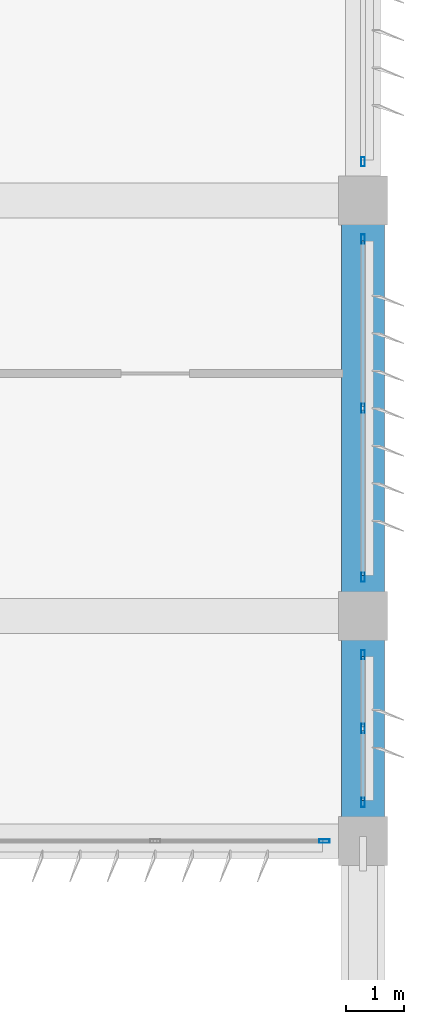
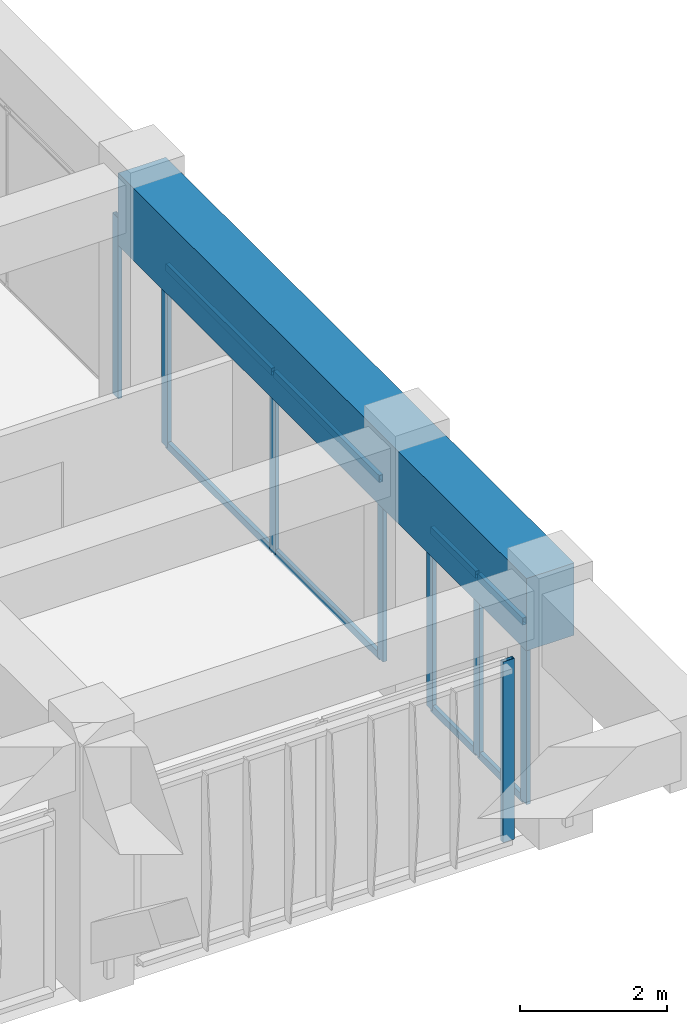
# One storey, part 28 of 56: 16 members, 1 beam, 4 elements without a shape of their own.
"""IFC4 building model written with IfcOpenShell, lengths in metres."""

from ifc_helpers import new_model, si_unit, direction, frame, origin, origin_2d, place, context, subcontext, project, spatial, rectangle, hollow_rectangle, extrude, material, material_profile, profile_set, type_object, element, aggregate, save


model = new_model("IFC4")

# Units and contexts
model_context = context("Model", 3, precision=1e-05, world=origin(), true_north=direction((0.0, 1.0)))
body_context = subcontext(model_context, "Body", "Model", "MODEL_VIEW")
ifc_project = project(units=[si_unit("LENGTHUNIT", "METRE"), si_unit("AREAUNIT", "SQUARE_METRE"), si_unit("VOLUMEUNIT", "CUBIC_METRE"), si_unit("PLANEANGLEUNIT", "RADIAN"), si_unit("MASSUNIT", "GRAM", prefix="KILO")], contexts=[model_context])

# Site, building, storey
site_placement = place(None, origin())
site = spatial("IfcSite", under=ifc_project, at=site_placement, CompositionType="ELEMENT")
building_placement = place(site_placement, origin())
building = spatial("IfcBuilding", under=site, at=building_placement, Name="Kazehaya Institute of Natural Sciences", CompositionType="ELEMENT")
storey_placement = place(building_placement, frame((0.0, 0.0, 24.300048828125)))
storey = spatial("IfcBuildingStorey", under=building, at=storey_placement, Name="L05", CompositionType="ELEMENT", Elevation=24.300048828125)

# Beam
ifc_material_1 = material(Name="Concrete Fc42", Category="concrete")
ifc_material_profile_1 = material_profile(ifc_material_1, rectangle(XDim=0.75, YDim=1.199951171875, at=origin_2d()), Name="RC-750x1200")
ifc_profile_set_1 = profile_set([ifc_material_profile_1], Name="Concrete Fc42")
beam_type = type_object("IfcBeamType", Name="BM-TG-750x1200", PredefinedType="BEAM", material=ifc_profile_set_1)
beam_placement = place(storey_placement, frame((119.39990234375, 10.10009765625, 3.6298828125), z_axis=(0.0, 1.0, 0.0), x_axis=(-1.0, 0.0, 0.0)))
element("IfcBeam", 1, at=beam_placement, inside=storey, type_object=beam_type, Name="L05 transfer girder back-span 1770", PredefinedType="BEAM", context=body_context, shape_type="SweptSolid", body=[
    extrude(rectangle(XDim=0.75, YDim=1.199951171875, at=origin_2d()), origin(), (0.0, 0.0, 1.0), 11.099853515625),
])

# Curtain wall, members
ifc_material_2 = material(Name="Aluminium alloy A6063S-T5", Category="aluminium")
curtain_wall_type_1 = type_object("IfcCurtainWallType", Name="CW-SYS-08", PredefinedType="NOTDEFINED", material=ifc_material_2)
curtain_wall_1_placement = place(storey_placement, origin())
curtain_wall_1 = element("IfcCurtainWall", 2, at=curtain_wall_1_placement, inside=storey, type_object=curtain_wall_type_1, Name="L05 unitised curtain wall CW-L05-113", PredefinedType="NOTDEFINED")
ifc_material_profile_2 = material_profile(ifc_material_2, hollow_rectangle(XDim=0.06005859375, YDim=0.159912109375, WallThickness=0.00390625, at=origin_2d()), Name="ALU-60x160x4")
ifc_profile_set_2 = profile_set([ifc_material_profile_2], Name="Aluminium alloy A6063S-T5")
member_type_1 = type_object("IfcMemberType", Name="CWM-160", PredefinedType="MULLION", material=ifc_profile_set_2)
member_1_placement = place(storey_placement, frame((119.39990234375, 13.330078125, 0.0), z_axis=(0.0, 0.0, 1.0), x_axis=(1.0, 0.0, 0.0)))
member_1 = element("IfcMember", 3, at=member_1_placement, type_object=member_type_1, Name="CW08 mullion 1", PredefinedType="MULLION", context=body_context, shape_type="SweptSolid", body=[
    extrude(hollow_rectangle(XDim=0.06005859375, YDim=0.159912109375, WallThickness=0.00390625, at=origin_2d()), origin(), (0.0, 0.0, 1.0), 3.0),
])
member_2_placement = place(storey_placement, frame((119.39990234375, 12.050048828125, 0.0), z_axis=(0.0, 0.0, 1.0), x_axis=(1.0, 0.0, 0.0)))
member_2 = element("IfcMember", 4, at=member_2_placement, type_object=member_type_1, Name="CW08 mullion 2", PredefinedType="MULLION", context=body_context, shape_type="SweptSolid", body=[
    extrude(hollow_rectangle(XDim=0.06005859375, YDim=0.159912109375, WallThickness=0.00390625, at=origin_2d()), origin(), (0.0, 0.0, 1.0), 3.0),
])
member_3_placement = place(storey_placement, frame((119.39990234375, 10.77001953125, 0.0), z_axis=(0.0, 0.0, 1.0), x_axis=(1.0, 0.0, 0.0)))
member_3 = element("IfcMember", 5, at=member_3_placement, type_object=member_type_1, Name="CW08 mullion 3", PredefinedType="MULLION", context=body_context, shape_type="SweptSolid", body=[
    extrude(hollow_rectangle(XDim=0.06005859375, YDim=0.159912109375, WallThickness=0.00390625, at=origin_2d()), origin(), (0.0, 0.0, 1.0), 3.0),
])

curtain_wall_type_2 = type_object("IfcCurtainWallType", Name="CW-SYS-10", PredefinedType="NOTDEFINED", material=ifc_material_2)
curtain_wall_2_placement = place(storey_placement, origin())
curtain_wall_2 = element("IfcCurtainWall", 6, at=curtain_wall_2_placement, inside=storey, type_object=curtain_wall_type_2, Name="L05 unitised curtain wall CW-L05-115", PredefinedType="NOTDEFINED")
member_4_placement = place(storey_placement, frame((119.39990234375, 20.530029296875, 0.0), z_axis=(0.0, 0.0, 1.0), x_axis=(1.0, 0.0, 0.0)))
member_4 = element("IfcMember", 7, at=member_4_placement, type_object=member_type_1, Name="CW10 mullion 1", PredefinedType="MULLION", context=body_context, shape_type="SweptSolid", body=[
    extrude(hollow_rectangle(XDim=0.06005859375, YDim=0.159912109375, WallThickness=0.00390625, at=origin_2d()), origin(), (0.0, 0.0, 1.0), 3.0),
])
member_5_placement = place(storey_placement, frame((119.39990234375, 17.60009765625, 0.0), z_axis=(0.0, 0.0, 1.0), x_axis=(1.0, 0.0, 0.0)))
member_5 = element("IfcMember", 8, at=member_5_placement, type_object=member_type_1, Name="CW10 mullion 2", PredefinedType="MULLION", context=body_context, shape_type="SweptSolid", body=[
    extrude(hollow_rectangle(XDim=0.06005859375, YDim=0.159912109375, WallThickness=0.00390625, at=origin_2d()), origin(), (0.0, 0.0, 1.0), 3.0),
])
member_6_placement = place(storey_placement, frame((119.39990234375, 14.669921875, 0.0), z_axis=(0.0, 0.0, 1.0), x_axis=(1.0, 0.0, 0.0)))
member_6 = element("IfcMember", 9, at=member_6_placement, type_object=member_type_1, Name="CW10 mullion 3", PredefinedType="MULLION", context=body_context, shape_type="SweptSolid", body=[
    extrude(hollow_rectangle(XDim=0.06005859375, YDim=0.159912109375, WallThickness=0.00390625, at=origin_2d()), origin(), (0.0, 0.0, 1.0), 3.0),
])

# Curtain wall, member
curtain_wall_3_placement = place(storey_placement, origin())
curtain_wall_3 = element("IfcCurtainWall", 10, at=curtain_wall_3_placement, inside=storey, type_object=curtain_wall_type_2, Name="L05 unitised curtain wall CW-L05-117", PredefinedType="NOTDEFINED")
member_7_placement = place(storey_placement, frame((119.39990234375, 21.8701171875, 0.0), z_axis=(0.0, 0.0, 1.0), x_axis=(1.0, 0.0, 0.0)))
member_7 = element("IfcMember", 11, at=member_7_placement, type_object=member_type_1, Name="CW10 mullion 3", PredefinedType="MULLION", context=body_context, shape_type="SweptSolid", body=[
    extrude(hollow_rectangle(XDim=0.06005859375, YDim=0.159912109375, WallThickness=0.00390625, at=origin_2d()), origin(), (0.0, 0.0, 1.0), 3.0),
])
aggregate(curtain_wall_3, [member_7])

curtain_wall_type_3 = type_object("IfcCurtainWallType", Name="CW-SYS-04", PredefinedType="NOTDEFINED", material=ifc_material_2)
curtain_wall_4_placement = place(storey_placement, origin())
curtain_wall_4 = element("IfcCurtainWall", 12, at=curtain_wall_4_placement, inside=storey, type_object=curtain_wall_type_3, Name="L05 unitised curtain wall CW-L05-094", PredefinedType="NOTDEFINED")
ifc_material_profile_3 = material_profile(ifc_material_2, hollow_rectangle(XDim=0.06005859375, YDim=0.179931640625, WallThickness=0.00390625, at=origin_2d()), Name="ALU-60x180x4")
ifc_profile_set_3 = profile_set([ifc_material_profile_3], Name="Aluminium alloy A6063S-T5")
member_type_2 = type_object("IfcMemberType", Name="CWM-180", PredefinedType="MULLION", material=ifc_profile_set_3)
member_8_placement = place(storey_placement, frame((118.72998046875, 10.10009765625, 0.0), z_axis=(0.0, 0.0, 1.0), x_axis=(0.0, -1.0, 0.0)))
member_8 = element("IfcMember", 13, at=member_8_placement, type_object=member_type_2, Name="CW04 mullion 1", PredefinedType="MULLION", context=body_context, shape_type="SweptSolid", body=[
    extrude(hollow_rectangle(XDim=0.06005859375, YDim=0.179931640625, WallThickness=0.00390625, at=origin_2d()), origin(), (0.0, 0.0, 1.0), 3.0),
])
aggregate(curtain_wall_4, [member_8])

# Member
ifc_material_profile_4 = material_profile(ifc_material_2, hollow_rectangle(XDim=0.06005859375, YDim=0.1201171875, WallThickness=0.00341796875, at=origin_2d()), Name="ALU-60x120x3.5")
ifc_profile_set_4 = profile_set([ifc_material_profile_4], Name="Aluminium alloy A6063S-T5")
member_type_3 = type_object("IfcMemberType", Name="CWT-120", PredefinedType="USERDEFINED", material=ifc_profile_set_4)
member_9_placement = place(storey_placement, frame((119.39990234375, 13.300048828125, 0.030029296875), z_axis=(0.0, -1.0, 0.0), x_axis=(1.0, 0.0, 0.0)))
member_9 = element("IfcMember", 14, at=member_9_placement, type_object=member_type_3, Name="CW08 transom 1.1", ObjectType="TRANSOM", PredefinedType="USERDEFINED", context=body_context, shape_type="SweptSolid", body=[
    extrude(hollow_rectangle(XDim=0.06005859375, YDim=0.1201171875, WallThickness=0.00341796875, at=origin_2d()), origin(), (0.0, 0.0, 1.0), 1.219970703125),
])

member_10_placement = place(storey_placement, frame((119.39990234375, 13.300048828125, 2.969970703125), z_axis=(0.0, -1.0, 0.0), x_axis=(1.0, 0.0, 0.0)))
member_10 = element("IfcMember", 15, at=member_10_placement, type_object=member_type_3, Name="CW08 transom 1.2", ObjectType="TRANSOM", PredefinedType="USERDEFINED", context=body_context, shape_type="SweptSolid", body=[
    extrude(hollow_rectangle(XDim=0.06005859375, YDim=0.1201171875, WallThickness=0.00341796875, at=origin_2d()), origin(), (0.0, 0.0, 1.0), 1.219970703125),
])

member_11_placement = place(storey_placement, frame((119.39990234375, 12.02001953125, 0.030029296875), z_axis=(0.0, -1.0, 0.0), x_axis=(1.0, 0.0, 0.0)))
member_11 = element("IfcMember", 16, at=member_11_placement, type_object=member_type_3, Name="CW08 transom 2.1", ObjectType="TRANSOM", PredefinedType="USERDEFINED", context=body_context, shape_type="SweptSolid", body=[
    extrude(hollow_rectangle(XDim=0.06005859375, YDim=0.1201171875, WallThickness=0.00341796875, at=origin_2d()), origin(), (0.0, 0.0, 1.0), 1.219970703125),
])

member_12_placement = place(storey_placement, frame((119.39990234375, 12.02001953125, 2.969970703125), z_axis=(0.0, -1.0, 0.0), x_axis=(1.0, 0.0, 0.0)))
member_12 = element("IfcMember", 17, at=member_12_placement, type_object=member_type_3, Name="CW08 transom 2.2", ObjectType="TRANSOM", PredefinedType="USERDEFINED", context=body_context, shape_type="SweptSolid", body=[
    extrude(hollow_rectangle(XDim=0.06005859375, YDim=0.1201171875, WallThickness=0.00341796875, at=origin_2d()), origin(), (0.0, 0.0, 1.0), 1.219970703125),
])

aggregate(curtain_wall_1, [member_1, member_2, member_3, member_9, member_10, member_11, member_12])

member_13_placement = place(storey_placement, frame((119.39990234375, 20.5, 0.030029296875), z_axis=(0.0, -1.0, 0.0), x_axis=(1.0, 0.0, 0.0)))
member_13 = element("IfcMember", 18, at=member_13_placement, type_object=member_type_3, Name="CW10 transom 1.1", ObjectType="TRANSOM", PredefinedType="USERDEFINED", context=body_context, shape_type="SweptSolid", body=[
    extrude(hollow_rectangle(XDim=0.06005859375, YDim=0.1201171875, WallThickness=0.00341796875, at=origin_2d()), origin(), (0.0, 0.0, 1.0), 2.8701171875),
])

member_14_placement = place(storey_placement, frame((119.39990234375, 20.5, 2.969970703125), z_axis=(0.0, -1.0, 0.0), x_axis=(1.0, 0.0, 0.0)))
member_14 = element("IfcMember", 19, at=member_14_placement, type_object=member_type_3, Name="CW10 transom 1.2", ObjectType="TRANSOM", PredefinedType="USERDEFINED", context=body_context, shape_type="SweptSolid", body=[
    extrude(hollow_rectangle(XDim=0.06005859375, YDim=0.1201171875, WallThickness=0.00341796875, at=origin_2d()), origin(), (0.0, 0.0, 1.0), 2.8701171875),
])

member_15_placement = place(storey_placement, frame((119.39990234375, 17.570068359375, 0.030029296875), z_axis=(0.0, -1.0, 0.0), x_axis=(1.0, 0.0, 0.0)))
member_15 = element("IfcMember", 20, at=member_15_placement, type_object=member_type_3, Name="CW10 transom 2.1", ObjectType="TRANSOM", PredefinedType="USERDEFINED", context=body_context, shape_type="SweptSolid", body=[
    extrude(hollow_rectangle(XDim=0.06005859375, YDim=0.1201171875, WallThickness=0.00341796875, at=origin_2d()), origin(), (0.0, 0.0, 1.0), 2.8701171875),
])

member_16_placement = place(storey_placement, frame((119.39990234375, 17.570068359375, 2.969970703125), z_axis=(0.0, -1.0, 0.0), x_axis=(1.0, 0.0, 0.0)))
member_16 = element("IfcMember", 21, at=member_16_placement, type_object=member_type_3, Name="CW10 transom 2.2", ObjectType="TRANSOM", PredefinedType="USERDEFINED", context=body_context, shape_type="SweptSolid", body=[
    extrude(hollow_rectangle(XDim=0.06005859375, YDim=0.1201171875, WallThickness=0.00341796875, at=origin_2d()), origin(), (0.0, 0.0, 1.0), 2.8701171875),
])

aggregate(curtain_wall_2, [member_4, member_5, member_6, member_13, member_14, member_15, member_16])

save(model, "model.ifc")
